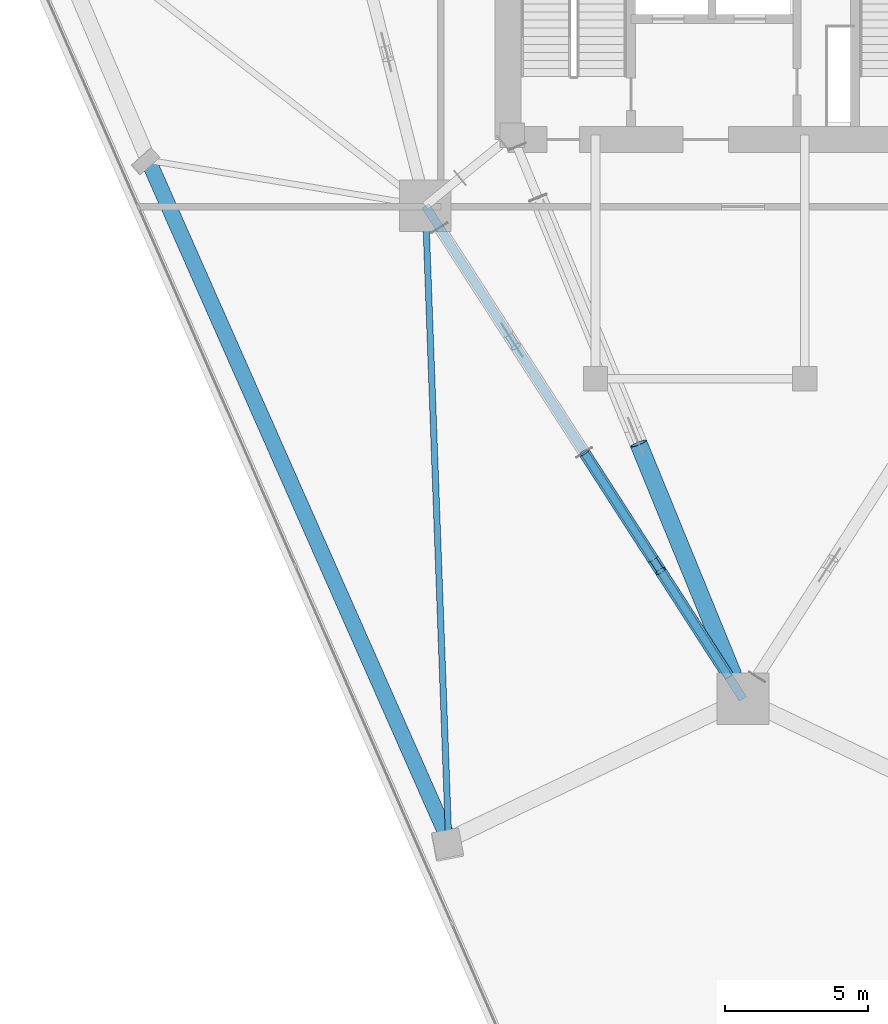
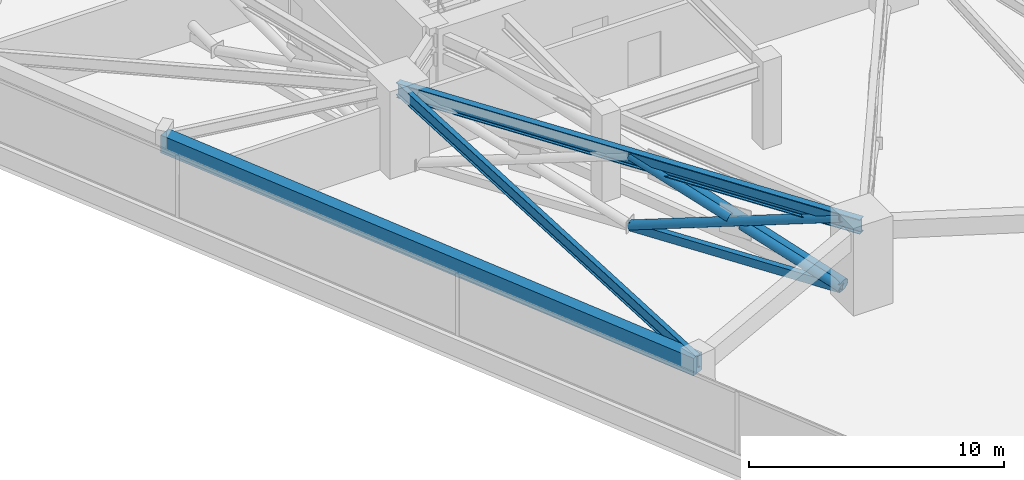
# One storey, part 3 of 20: 6 members, 3 beams.
"""IFC4 building model written with IfcOpenShell, lengths in metres."""

from ifc_helpers import new_model, si_unit, direction, frame, origin, origin_2d, place, context, subcontext, project, spatial, rectangle, hollow_rectangle, hollow_circle, i_section, extrude, material, material_profile, profile_set, type_object, element, save


model = new_model("IFC4")

# Units and contexts
model_context = context("Model", 3, precision=1e-05, world=origin(), true_north=direction((0.0, 1.0)))
body_context = subcontext(model_context, "Body", "Model", "MODEL_VIEW")
ifc_project = project(units=[si_unit("LENGTHUNIT", "METRE"), si_unit("AREAUNIT", "SQUARE_METRE"), si_unit("VOLUMEUNIT", "CUBIC_METRE"), si_unit("PLANEANGLEUNIT", "RADIAN"), si_unit("MASSUNIT", "GRAM", prefix="KILO")], contexts=[model_context])

# Site, building, storey
site_placement = place(None, origin())
site = spatial("IfcSite", under=ifc_project, at=site_placement, CompositionType="ELEMENT")
building_placement = place(site_placement, origin())
building = spatial("IfcBuilding", under=site, at=building_placement, Name="Talyreon Biosciences Tower", CompositionType="ELEMENT")
storey_placement = place(building_placement, frame((0.0, 0.0, 66.60009765625)))
storey = spatial("IfcBuildingStorey", under=building, at=storey_placement, Name="L17", CompositionType="ELEMENT", Elevation=66.60009765625)

# Members
ifc_material_1 = material(Name="Steel SM355", Category="steel")
ifc_material_profile_1 = material_profile(ifc_material_1, hollow_circle(Radius=0.203125, WallThickness=0.01611328125, at=origin_2d()), Name="CHS 406.4x16")
ifc_profile_set_1 = profile_set([ifc_material_profile_1], Name="Steel SM355")
member_type_1 = type_object("IfcMemberType", Name="BeltBrace_CHS406", PredefinedType="BRACE", material=ifc_profile_set_1)
member_1_placement = place(storey_placement, frame((60.456787109375, 50.273681640625, 0.239990234375), z_axis=(0.509427105726, -0.790970108566, 0.338895723353), x_axis=(0.840720642586, 0.541469113735, 0.0)))
element("IfcMember", 1, at=member_1_placement, inside=storey, type_object=member_type_1, Name="L17 Continuous Diagonal BELT-L17-B6S2A", PredefinedType="BRACE", context=body_context, shape_type="SweptSolid", body=[
    extrude(hollow_circle(Radius=0.203125, WallThickness=0.01611328125, at=origin_2d()), origin(), (0.0, 0.0, 1.0), 9.9140625),
])
for number, where, z_axis, x_axis, name in (
    (2, (65.50732421875, 42.431884765625, 0.239990234375), (-0.509417350971, 0.790982797343, 0.338880770828), (-0.840729316536, -0.541455645752, 0.0), "L17 Split Diagonal BELT-L17-B6S2B-Lower"),
    (3, (62.839599609375, 46.574462890625, 2.014892578125), (-0.5094770375, 0.790942220513, 0.338885750763), (-0.840687790576, -0.541520118534, 0.0), "L17 Split Diagonal BELT-L17-B6S2B-Upper"),
):
    element("IfcMember", number, at=place(storey_placement, frame(where, z_axis=z_axis, x_axis=x_axis)), inside=storey, type_object=member_type_1, Name=name, PredefinedType="BRACE", context=body_context, shape_type="SweptSolid", body=[
        extrude(hollow_circle(Radius=0.203125, WallThickness=0.01611328125, at=origin_2d()), origin(), (0.0, 0.0, 1.0), 4.677001953125),
    ])
ifc_material_profile_2 = material_profile(ifc_material_1, hollow_rectangle(XDim=0.25, YDim=0.39990234375, WallThickness=0.01611328125, at=origin_2d()), Name="RHS 400x250x16")
ifc_profile_set_2 = profile_set([ifc_material_profile_2], Name="Steel SM355")
member_type_2 = type_object("IfcMemberType", Name="BeltChord_RHS400x250", PredefinedType="CHORD", material=ifc_profile_set_2)
for number, where, z_axis, x_axis, name in (
    (4, (60.456787109375, 50.273681640625, 0.239990234375), (0.541469113735, -0.840720642586, 0.0), (0.840720642586, 0.541469113735, 0.0), "L17 Truss Bottom Chord BELT-L17-B6S2"),
    (5, (60.456787109375, 50.273681640625, 3.599853515625), (0.541469113735, -0.840720642586, 0.0), (0.840720642586, 0.541469113735, 0.0), "L17 Truss Top Chord BELT-L17-B6S2"),
):
    element("IfcMember", number, at=place(storey_placement, frame(where, z_axis=z_axis, x_axis=x_axis)), inside=storey, type_object=member_type_2, Name=name, PredefinedType="CHORD", context=body_context, shape_type="SweptSolid", body=[
        extrude(hollow_rectangle(XDim=0.25, YDim=0.39990234375, WallThickness=0.01611328125, at=origin_2d()), origin(), (0.0, 0.0, 1.0), 9.327392578125),
    ])

# Beam
ifc_material_2 = material(Name="Precast concrete C45/55", Category="concrete")
ifc_material_profile_3 = material_profile(ifc_material_2, rectangle(XDim=0.550048828125, YDim=0.85009765625, at=origin_2d()), Name="RCB 550x850")
ifc_profile_set_3 = profile_set([ifc_material_profile_3], Name="Precast concrete C45/55")
beam_type_1 = type_object("IfcBeamType", Name="ExpressedSpandrel_550x850", PredefinedType="SPANDREL", material=ifc_profile_set_3)
beam_1_placement = place(storey_placement, frame((45.240966796875, 60.468994140625, 3.4248046875), z_axis=(0.40436334805, -0.914598427045, 0.0), x_axis=(0.914598427045, 0.40436334805, 0.0)))
element("IfcBeam", 6, at=beam_1_placement, inside=storey, type_object=beam_type_1, Name="L17 Expressed Horizontal Concrete Spandrel 11", PredefinedType="SPANDREL", context=body_context, shape_type="SweptSolid", body=[
    extrude(rectangle(XDim=0.550048828125, YDim=0.85009765625, at=origin_2d()), origin(), (0.0, 0.0, 1.0), 25.9287109375),
])

# Member
ifc_material_profile_4 = material_profile(ifc_material_1, hollow_circle(Radius=0.304931640625, WallThickness=0.02490234375, at=origin_2d()), Name="CHS 610x25")
ifc_profile_set_4 = profile_set([ifc_material_profile_4], Name="Steel SM355")
member_type_3 = type_object("IfcMemberType", Name="OutriggerBrace_CHS610", PredefinedType="BRACE", material=ifc_profile_set_4)
member_2_placement = place(storey_placement, frame((65.655517578125, 42.50927734375, 0.239990234375), z_axis=(-0.372115139148, 0.909883662736, 0.183417675001), x_axis=(-0.92558616361, -0.378536991235, 0.0)))
element("IfcMember", 7, at=member_2_placement, inside=storey, type_object=member_type_3, Name="L17 Split Diagonal OUT-L17-R1B-Lower", PredefinedType="BRACE", context=body_context, shape_type="SweptSolid", body=[
    extrude(hollow_circle(Radius=0.304931640625, WallThickness=0.02490234375, at=origin_2d()), origin(), (0.0, 0.0, 1.0), 8.878173828125),
])

# Beams
ifc_material_profile_5 = material_profile(ifc_material_1, i_section(OverallWidth=0.300048828125, OverallDepth=0.699951171875, WebThickness=0.01708984375, FlangeThickness=0.031982421875, FilletRadius=0.027099609375, at=origin_2d()), Name="HE700B")
ifc_profile_set_5 = profile_set([ifc_material_profile_5], Name="Steel SM355")
beam_type_2 = type_object("IfcBeamType", Name="SteelGirder_HE700B", PredefinedType="BEAM", material=ifc_profile_set_5)
beam_2_placement = place(storey_placement, frame((54.913818359375, 58.88037109375, 3.5), z_axis=(0.541463723609, -0.840724114092, 0.0), x_axis=(0.840724114092, 0.541463723609, 0.0)))
element("IfcBeam", 8, at=beam_2_placement, inside=storey, type_object=beam_type_2, Name="L17 Mega-Ring Girder 6", PredefinedType="BEAM", context=body_context, shape_type="SweptSolid", body=[
    extrude(i_section(OverallWidth=0.300048828125, OverallDepth=0.699951171875, WebThickness=0.01708984375, FlangeThickness=0.031982421875, FilletRadius=0.027099609375, at=origin_2d()), origin(), (0.0, 0.0, 1.0), 20.474365234375),
])
ifc_material_profile_6 = material_profile(ifc_material_1, i_section(OverallWidth=0.219970703125, OverallDepth=0.60009765625, WebThickness=0.011962890625, FlangeThickness=0.01904296875, FilletRadius=0.02392578125, at=origin_2d()), Name="IPE600")
ifc_profile_set_6 = profile_set([ifc_material_profile_6], Name="Steel SM355")
beam_type_3 = type_object("IfcBeamType", Name="SteelJoist_IPE600", PredefinedType="JOIST", material=ifc_profile_set_6)
beam_3_placement = place(storey_placement, frame((54.913818359375, 58.88037109375, 3.5498046875), z_axis=(0.036664177486, -0.999327643013, 0.0), x_axis=(0.999327643013, 0.036664177486, 0.0)))
element("IfcBeam", 9, at=beam_3_placement, inside=storey, type_object=beam_type_3, Name="L17 Radial Composite Floor Joist PC-SW2", PredefinedType="JOIST", context=body_context, shape_type="SweptSolid", body=[
    extrude(i_section(OverallWidth=0.219970703125, OverallDepth=0.60009765625, WebThickness=0.011962890625, FlangeThickness=0.01904296875, FilletRadius=0.02392578125, at=origin_2d()), origin(), (0.0, 0.0, 1.0), 22.140625),
])

save(model, "model.ifc")
